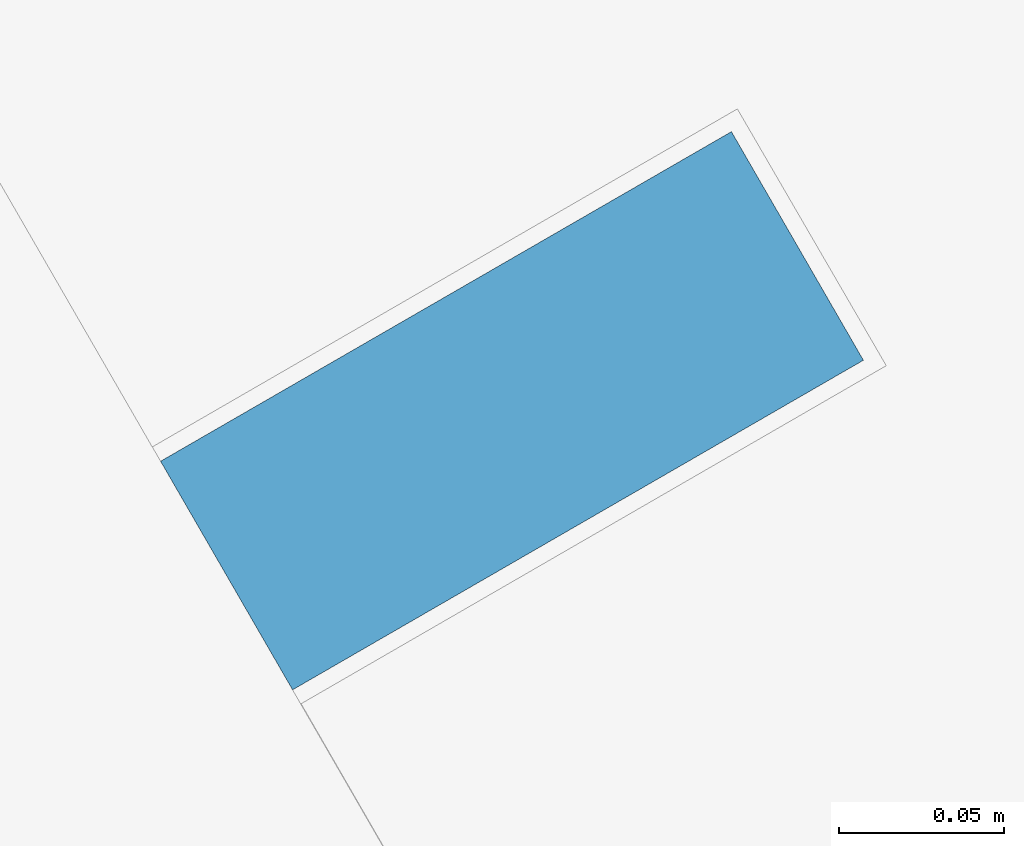
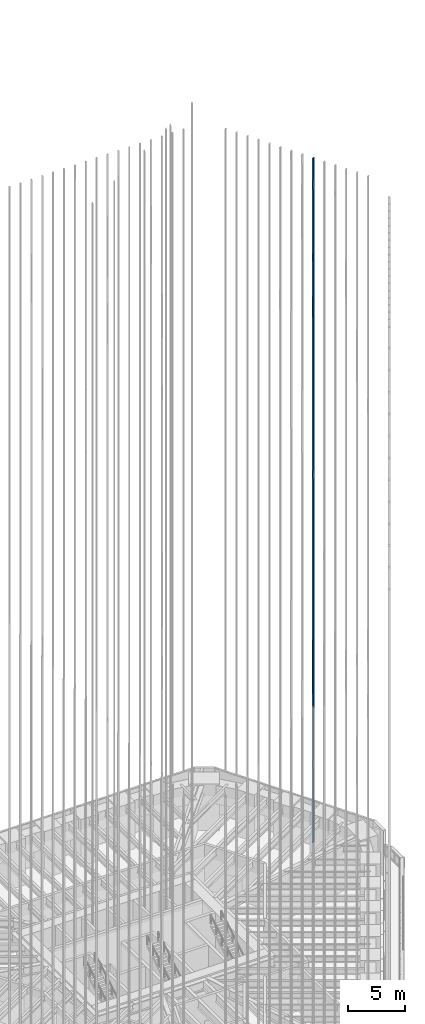
# One storey, part 190 of 228: 1 member, 1 element without a shape of its own.
"""IFC4 building model written with IfcOpenShell, lengths in metres."""

from ifc_helpers import new_model, si_unit, direction, frame, origin, origin_2d, place, context, subcontext, project, spatial, rectangle, extrude, material, material_profile, profile_set, type_object, element, aggregate, save


model = new_model("IFC4")

# Units and contexts
model_context = context("Model", 3, precision=1e-05, world=origin(), true_north=direction((0.0, 1.0)))
body_context = subcontext(model_context, "Body", "Model", "MODEL_VIEW")
ifc_project = project(units=[si_unit("LENGTHUNIT", "METRE"), si_unit("AREAUNIT", "SQUARE_METRE"), si_unit("VOLUMEUNIT", "CUBIC_METRE"), si_unit("PLANEANGLEUNIT", "RADIAN"), si_unit("MASSUNIT", "GRAM", prefix="KILO")], contexts=[model_context])

# Site, building, storey
site_placement = place(None, origin())
site = spatial("IfcSite", under=ifc_project, at=site_placement, CompositionType="ELEMENT")
building_placement = place(site_placement, origin())
building = spatial("IfcBuilding", under=site, at=building_placement, Name="Sandreach Pilgrim Tower", CompositionType="ELEMENT")
storey_placement = place(building_placement, frame((0.0, 0.0, 178.199951171875)))
storey = spatial("IfcBuildingStorey", under=building, at=storey_placement, Name="L44", CompositionType="ELEMENT", Elevation=178.199951171875)

# Curtain wall, member
ifc_material_1 = material(Name="Aluminium framed curtain wall", Category="aluminium")
curtain_wall_type = type_object("IfcCurtainWallType", Name="Upper hotel tower curtain wall", PredefinedType="NOTDEFINED", material=ifc_material_1)
curtain_wall_placement = place(storey_placement, origin())
curtain_wall = element("IfcCurtainWall", 1, at=curtain_wall_placement, inside=storey, type_object=curtain_wall_type, Name="CW-3 L44 NE", PredefinedType="NOTDEFINED")
ifc_material_2 = material(Name="Extruded terracotta on aluminium core", Category="masonry")
ifc_material_profile = material_profile(ifc_material_2, rectangle(XDim=0.080078125, YDim=0.199951171875, at=origin_2d()), Name="TBE 80X200")
ifc_profile_set = profile_set([ifc_material_profile], Name="Extruded terracotta on aluminium core")
member_type = type_object("IfcMemberType", Name="Terracotta baguette east", PredefinedType="USERDEFINED", material=ifc_profile_set)
member_placement = place(storey_placement, frame((24.150634765625, 12.02001953125, 0.0), z_axis=(0.0, 0.0, 1.0), x_axis=(0.5, -0.866025403784, 0.0)))
member = element("IfcMember", 2, at=member_placement, type_object=member_type, Name="Baguette Z3 NE09", ObjectType="BAGUETTE", PredefinedType="USERDEFINED", context=body_context, shape_type="SweptSolid", body=[
    extrude(rectangle(XDim=0.080078125, YDim=0.199951171875, at=origin_2d()), origin(), (0.0, 0.0, 1.0), 73.239990234375),
])
aggregate(curtain_wall, [member])

save(model, "model.ifc")
